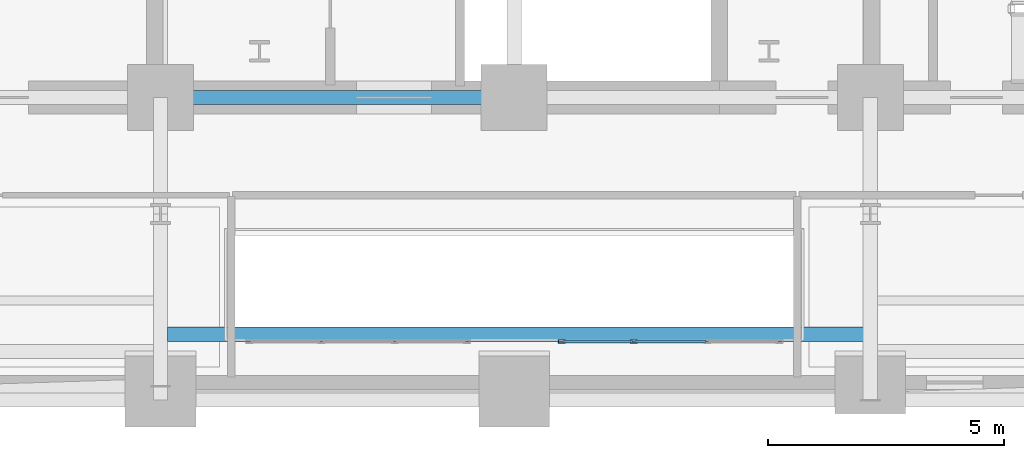
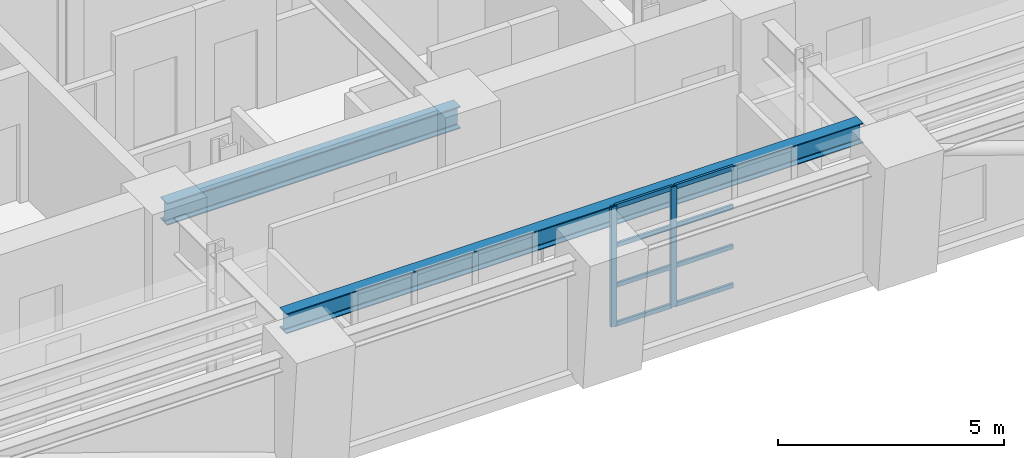
# One storey, part 3 of 15: 10 members, 2 beams, 1 element without a shape of its own.
"""IFC4 building model written with IfcOpenShell, lengths in metres."""

from ifc_helpers import new_model, si_unit, direction, frame, origin, origin_2d, place, context, subcontext, project, spatial, hollow_rectangle, i_section, extrude, material, layer, layer_set, material_profile, profile_set, type_object, element, aggregate, save


model = new_model("IFC4")

# Units and contexts
model_context = context("Model", 3, precision=1e-05, world=origin(), true_north=direction((0.0, 1.0)))
body_context = subcontext(model_context, "Body", "Model", "MODEL_VIEW")
ifc_project = project(units=[si_unit("LENGTHUNIT", "METRE"), si_unit("AREAUNIT", "SQUARE_METRE"), si_unit("VOLUMEUNIT", "CUBIC_METRE"), si_unit("PLANEANGLEUNIT", "RADIAN"), si_unit("MASSUNIT", "GRAM", prefix="KILO")], contexts=[model_context])

# Site, building, storey
site_placement = place(None, origin())
site = spatial("IfcSite", under=ifc_project, at=site_placement, CompositionType="ELEMENT")
building_placement = place(site_placement, origin())
building = spatial("IfcBuilding", under=site, at=building_placement, Name="Zarnavel Station Tower", CompositionType="ELEMENT")
storey_placement = place(building_placement, frame((0.0, 0.0, 50.0)))
storey = spatial("IfcBuildingStorey", under=building, at=storey_placement, Name="L13", CompositionType="ELEMENT", Elevation=50.0)

# Curtain wall, members
ifc_material_1 = material(Name="Aluminium Dark Anodised and Solar-Control Glass", Category="aluminium")
ifc_layer = layer(ifc_material_1, 0.179931640625)
ifc_layer_set = layer_set([ifc_layer], Name="CWS2")
curtain_wall_type = type_object("IfcCurtainWallType", Name="CWS2", PredefinedType="NOTDEFINED", material=ifc_layer_set)
curtain_wall_placement = place(storey_placement, origin())
curtain_wall = element("IfcCurtainWall", 1, at=curtain_wall_placement, inside=storey, type_object=curtain_wall_type, Name="L13 Curtain Wall CWS2-L13-AS-S2", PredefinedType="NOTDEFINED")
ifc_material_2 = material(Name="Steel S355J2 (Black Fluoropolymer Coated)", Category="steel")
ifc_material_profile_1 = material_profile(ifc_material_2, hollow_rectangle(XDim=0.074951171875, YDim=0.14990234375, WallThickness=0.00634765625, at=origin_2d()), Name="RHS150x75x6.3")
ifc_profile_set_1 = profile_set([ifc_material_profile_1], Name="Steel S355J2 (Black Fluoropolymer Coated)")
member_type_1 = type_object("IfcMemberType", Name="CWS2_MUL", PredefinedType="MULLION", material=ifc_profile_set_1)
member_1_placement = place(storey_placement, frame((29.81005859375, 22.64990234375, 0.0), z_axis=(0.0, 0.0, 1.0), x_axis=(0.0, 1.0, 0.0)))
member_1 = element("IfcMember", 2, at=member_1_placement, type_object=member_type_1, Name="CW2 mullion 1", PredefinedType="MULLION", context=body_context, shape_type="SweptSolid", body=[
    extrude(hollow_rectangle(XDim=0.074951171875, YDim=0.14990234375, WallThickness=0.00634765625, at=origin_2d()), origin(), (0.0, 0.0, 1.0), 3.239990234375),
])
member_2_placement = place(storey_placement, frame((31.336669921875, 22.64990234375, 0.0), z_axis=(0.0, 0.0, 1.0), x_axis=(0.0, 1.0, 0.0)))
member_2 = element("IfcMember", 3, at=member_2_placement, type_object=member_type_1, Name="CW2 mullion 2", PredefinedType="MULLION", context=body_context, shape_type="SweptSolid", body=[
    extrude(hollow_rectangle(XDim=0.074951171875, YDim=0.14990234375, WallThickness=0.00634765625, at=origin_2d()), origin(), (0.0, 0.0, 1.0), 3.239990234375),
])
ifc_material_3 = material(Name="Steel S355J2 (Black Fluoropolymer Coated)", Category="steel")
ifc_material_profile_2 = material_profile(ifc_material_3, hollow_rectangle(XDim=0.06005859375, YDim=0.1201171875, WallThickness=0.0048828125, at=origin_2d()), Name="RHS120x60x5")
ifc_profile_set_2 = profile_set([ifc_material_profile_2], Name="Steel S355J2 (Black Fluoropolymer Coated)")
member_type_2 = type_object("IfcMemberType", Name="CWS2_TRN", PredefinedType="USERDEFINED", material=ifc_profile_set_2)
member_3_placement = place(storey_placement, frame((29.840087890625, 22.64990234375, 0.030029296875), z_axis=(1.0, 0.0, 0.0), x_axis=(0.0, 1.0, 0.0)))
member_3 = element("IfcMember", 4, at=member_3_placement, type_object=member_type_2, Name="CW2 transom 1.1", ObjectType="TRANSOM", PredefinedType="USERDEFINED", context=body_context, shape_type="SweptSolid", body=[
    extrude(hollow_rectangle(XDim=0.06005859375, YDim=0.1201171875, WallThickness=0.0048828125, at=origin_2d()), origin(), (0.0, 0.0, 1.0), 1.466552734375),
])
member_4_placement = place(storey_placement, frame((29.840087890625, 22.64990234375, 1.080078125), z_axis=(1.0, 0.0, 0.0), x_axis=(0.0, 1.0, 0.0)))
member_4 = element("IfcMember", 5, at=member_4_placement, type_object=member_type_2, Name="CW2 transom 1.2", ObjectType="TRANSOM", PredefinedType="USERDEFINED", context=body_context, shape_type="SweptSolid", body=[
    extrude(hollow_rectangle(XDim=0.06005859375, YDim=0.1201171875, WallThickness=0.0048828125, at=origin_2d()), origin(), (0.0, 0.0, 1.0), 1.466552734375),
])
member_5_placement = place(storey_placement, frame((29.840087890625, 22.64990234375, 2.159912109375), z_axis=(1.0, 0.0, 0.0), x_axis=(0.0, 1.0, 0.0)))
member_5 = element("IfcMember", 6, at=member_5_placement, type_object=member_type_2, Name="CW2 transom 1.3", ObjectType="TRANSOM", PredefinedType="USERDEFINED", context=body_context, shape_type="SweptSolid", body=[
    extrude(hollow_rectangle(XDim=0.06005859375, YDim=0.1201171875, WallThickness=0.0048828125, at=origin_2d()), origin(), (0.0, 0.0, 1.0), 1.466552734375),
])
member_6_placement = place(storey_placement, frame((29.840087890625, 22.64990234375, 3.2099609375), z_axis=(1.0, 0.0, 0.0), x_axis=(0.0, 1.0, 0.0)))
member_6 = element("IfcMember", 7, at=member_6_placement, type_object=member_type_2, Name="CW2 transom 1.4", ObjectType="TRANSOM", PredefinedType="USERDEFINED", context=body_context, shape_type="SweptSolid", body=[
    extrude(hollow_rectangle(XDim=0.06005859375, YDim=0.1201171875, WallThickness=0.0048828125, at=origin_2d()), origin(), (0.0, 0.0, 1.0), 1.466552734375),
])
member_7_placement = place(storey_placement, frame((31.36669921875, 22.64990234375, 0.030029296875), z_axis=(1.0, 0.0, 0.0), x_axis=(0.0, 1.0, 0.0)))
member_7 = element("IfcMember", 8, at=member_7_placement, type_object=member_type_2, Name="CW2 transom 2.1", ObjectType="TRANSOM", PredefinedType="USERDEFINED", context=body_context, shape_type="SweptSolid", body=[
    extrude(hollow_rectangle(XDim=0.06005859375, YDim=0.1201171875, WallThickness=0.0048828125, at=origin_2d()), origin(), (0.0, 0.0, 1.0), 1.49658203125),
])
member_8_placement = place(storey_placement, frame((31.36669921875, 22.64990234375, 1.080078125), z_axis=(1.0, 0.0, 0.0), x_axis=(0.0, 1.0, 0.0)))
member_8 = element("IfcMember", 9, at=member_8_placement, type_object=member_type_2, Name="CW2 transom 2.2", ObjectType="TRANSOM", PredefinedType="USERDEFINED", context=body_context, shape_type="SweptSolid", body=[
    extrude(hollow_rectangle(XDim=0.06005859375, YDim=0.1201171875, WallThickness=0.0048828125, at=origin_2d()), origin(), (0.0, 0.0, 1.0), 1.49658203125),
])
member_9_placement = place(storey_placement, frame((31.36669921875, 22.64990234375, 2.159912109375), z_axis=(1.0, 0.0, 0.0), x_axis=(0.0, 1.0, 0.0)))
member_9 = element("IfcMember", 10, at=member_9_placement, type_object=member_type_2, Name="CW2 transom 2.3", ObjectType="TRANSOM", PredefinedType="USERDEFINED", context=body_context, shape_type="SweptSolid", body=[
    extrude(hollow_rectangle(XDim=0.06005859375, YDim=0.1201171875, WallThickness=0.0048828125, at=origin_2d()), origin(), (0.0, 0.0, 1.0), 1.49658203125),
])
member_10_placement = place(storey_placement, frame((31.36669921875, 22.64990234375, 3.2099609375), z_axis=(1.0, 0.0, 0.0), x_axis=(0.0, 1.0, 0.0)))
member_10 = element("IfcMember", 11, at=member_10_placement, type_object=member_type_2, Name="CW2 transom 2.4", ObjectType="TRANSOM", PredefinedType="USERDEFINED", context=body_context, shape_type="SweptSolid", body=[
    extrude(hollow_rectangle(XDim=0.06005859375, YDim=0.1201171875, WallThickness=0.0048828125, at=origin_2d()), origin(), (0.0, 0.0, 1.0), 1.49658203125),
])
aggregate(curtain_wall, [member_1, member_2, member_3, member_4, member_5, member_6, member_7, member_8, member_9, member_10])

# Beams
ifc_material_4 = material(Name="Steel S355J2", Category="steel")
ifc_material_profile_3 = material_profile(ifc_material_4, i_section(OverallWidth=0.300048828125, OverallDepth=0.5400390625, WebThickness=0.012451171875, FlangeThickness=0.02392578125, FilletRadius=0.027099609375, at=origin_2d()), Name="HEA550")
ifc_profile_set_3 = profile_set([ifc_material_profile_3], Name="Steel S355J2")
beam_type_1 = type_object("IfcBeamType", Name="FB_HEA550", PredefinedType="BEAM", material=ifc_profile_set_3)
beam_1_placement = place(storey_placement, frame((21.445068359375, 22.800048828125, 2.969970703125), z_axis=(1.0, 0.0, 0.0), x_axis=(0.0, 1.0, 0.0)))
element("IfcBeam", 12, at=beam_1_placement, inside=storey, type_object=beam_type_1, Name="L13 Atrium South Edge Girder", PredefinedType="BEAM", context=body_context, shape_type="SweptSolid", body=[
    extrude(i_section(OverallWidth=0.300048828125, OverallDepth=0.5400390625, WebThickness=0.012451171875, FlangeThickness=0.02392578125, FilletRadius=0.027099609375, at=origin_2d()), origin(), (0.0, 0.0, 1.0), 14.760009765625),
])
ifc_material_5 = material(Name="Steel S355J2", Category="steel")
ifc_material_profile_4 = material_profile(ifc_material_5, i_section(OverallWidth=0.300048828125, OverallDepth=0.60009765625, WebThickness=0.015380859375, FlangeThickness=0.030029296875, FilletRadius=0.027099609375, at=origin_2d()), Name="HEB600")
ifc_profile_set_4 = profile_set([ifc_material_profile_4], Name="Steel S355J2")
beam_type_2 = type_object("IfcBeamType", Name="FG_HEB600", PredefinedType="USERDEFINED", material=ifc_profile_set_4)
beam_2_placement = place(storey_placement, frame((21.300048828125, 27.820068359375, 2.93994140625), z_axis=(1.0, 0.0, 0.0), x_axis=(0.0, 1.0, 0.0)))
element("IfcBeam", 13, at=beam_2_placement, inside=storey, type_object=beam_type_2, Name="L13 Core Front Coupling Beam 2", ObjectType="GIRDER", PredefinedType="USERDEFINED", context=body_context, shape_type="SweptSolid", body=[
    extrude(i_section(OverallWidth=0.300048828125, OverallDepth=0.60009765625, WebThickness=0.015380859375, FlangeThickness=0.030029296875, FilletRadius=0.027099609375, at=origin_2d()), origin(), (0.0, 0.0, 1.0), 7.5),
])

save(model, "model.ifc")
